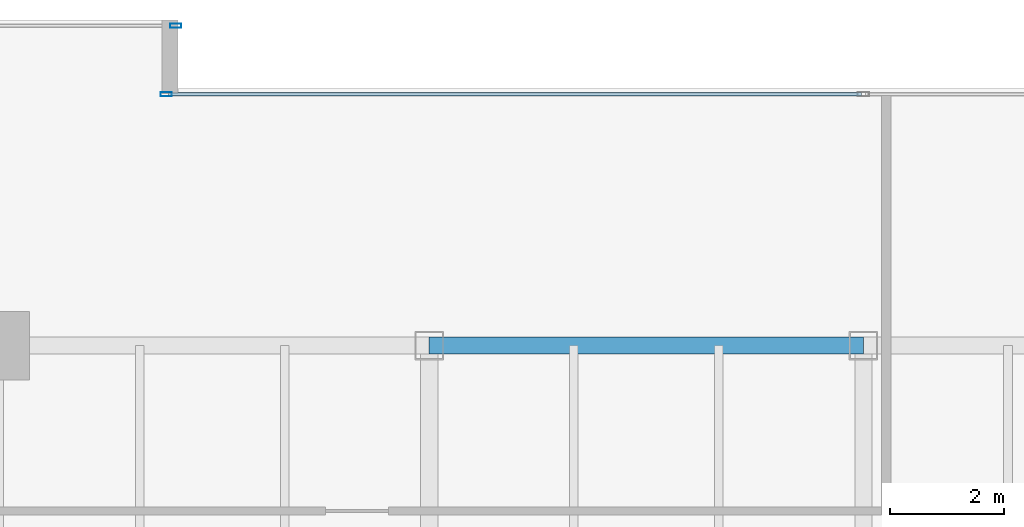
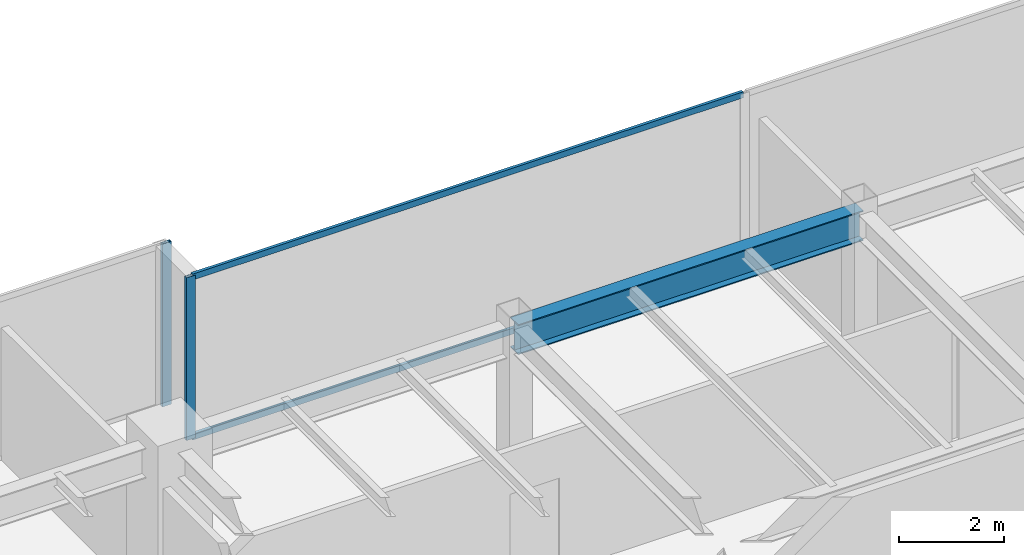
# One storey, part 16 of 30: 4 members, 1 beam, 2 elements without a shape of their own.
"""IFC4 building model written with IfcOpenShell, lengths in metres."""

from ifc_helpers import new_model, si_unit, direction, frame, origin, origin_2d, place, context, subcontext, project, spatial, hollow_rectangle, i_section, extrude, source, transform, mapped, material, layer, layer_set, material_profile, profile_set, type_object, type_shapes, element, aggregate, save


model = new_model("IFC4")

# Units and contexts
model_context = context("Model", 3, precision=1e-05, world=origin(), true_north=direction((0.0, 1.0)))
body_context = subcontext(model_context, "Body", "Model", "MODEL_VIEW")
ifc_project = project(units=[si_unit("LENGTHUNIT", "METRE"), si_unit("AREAUNIT", "SQUARE_METRE"), si_unit("VOLUMEUNIT", "CUBIC_METRE"), si_unit("PLANEANGLEUNIT", "RADIAN"), si_unit("MASSUNIT", "GRAM", prefix="KILO")], contexts=[model_context])

# Site, building, storey
site_placement = place(None, origin())
site = spatial("IfcSite", under=ifc_project, at=site_placement, CompositionType="ELEMENT")
building_placement = place(site_placement, origin())
building = spatial("IfcBuilding", under=site, at=building_placement, Name="Haelvirn Gate Laboratories", CompositionType="ELEMENT")
storey_placement = place(building_placement, frame((0.0, 0.0, 183.0)))
storey = spatial("IfcBuildingStorey", under=building, at=storey_placement, Name="L44", CompositionType="ELEMENT", Elevation=183.0)

# Beam
ifc_material_1 = material(Name="Steel SM355", Category="steel")
ifc_material_profile_1 = material_profile(ifc_material_1, i_section(OverallWidth=0.300048828125, OverallDepth=0.699951171875, WebThickness=0.012939453125, FlangeThickness=0.02392578125, at=origin_2d()), Name="H-700x300x13x24")
ifc_profile_set_1 = profile_set([ifc_material_profile_1], Name="Steel SM355")
beam_type = type_object("IfcBeamType", Name="BM-G-700", PredefinedType="BEAM", material=ifc_profile_set_1)
shared_shape_1 = source(origin(), body_context, "Body", "SweptSolid", [
    extrude(i_section(OverallWidth=0.300048828125, OverallDepth=0.699951171875, WebThickness=0.012939453125, FlangeThickness=0.02392578125, at=origin_2d()), origin(), (0.0, 0.0, 1.0), 7.599853515625),
])
type_shapes(beam_type, [shared_shape_1])
beam_placement = place(storey_placement, frame((29.800048828125, 41.60009765625, 3.43994140625), z_axis=(1.0, 0.0, 0.0), x_axis=(0.0, 1.0, 0.0)))
element("IfcBeam", 1, at=beam_placement, inside=storey, type_object=beam_type, Name="L44 Primary Girder Y41.6 (29.8-37.4)", PredefinedType="BEAM", context=body_context, shape_type="MappedRepresentation", body=[
    mapped(shared_shape_1, transform((0.0, 0.0, 0.0), scale=1.0)),
])

# Curtain wall, members
ifc_material_2 = material(Name="Anodised bronze unitised aluminium & triple low-E glass", Category="aluminium")
ifc_layer = layer(ifc_material_2, 0.179931640625, Name="CW-SYS-3")
ifc_layer_set = layer_set([ifc_layer], Name="Anodised bronze unitised aluminium & triple low-E glass")
curtain_wall_type = type_object("IfcCurtainWallType", Name="CW-SYS-3", PredefinedType="NOTDEFINED", material=ifc_layer_set)
curtain_wall_1_placement = place(storey_placement, origin())
curtain_wall_1 = element("IfcCurtainWall", 2, at=curtain_wall_1_placement, inside=storey, type_object=curtain_wall_type, Name="L44 Unitised Curtain Wall CW-L44-P0-E12-1", PredefinedType="NOTDEFINED")
ifc_material_3 = material(Name="Extruded aluminium 6063-T6 (anodised bronze)", Category="aluminium")
ifc_material_profile_2 = material_profile(ifc_material_3, hollow_rectangle(XDim=0.06494140625, YDim=0.139892578125, WallThickness=0.00390625, at=origin_2d()), Name="CWT-140x65x4")
ifc_profile_set_2 = profile_set([ifc_material_profile_2], Name="Extruded aluminium 6063-T6 (anodised bronze)")
member_type_1 = type_object("IfcMemberType", Name="CWT-T140", PredefinedType="USERDEFINED", material=ifc_profile_set_2)
shared_shape_2 = source(origin(), body_context, "Body", "SweptSolid", [
    extrude(hollow_rectangle(XDim=0.06494140625, YDim=0.139892578125, WallThickness=0.00390625, at=origin_2d()), origin(), (0.0, 0.0, 1.0), 12.12744140625),
])
type_shapes(member_type_1, [shared_shape_2])
member_1_placement = place(storey_placement, frame((25.235107421875, 46.0, 0.032470703125), z_axis=(1.0, 0.0, 0.0), x_axis=(0.0, 1.0, 0.0)))
member_1 = element("IfcMember", 3, at=member_1_placement, type_object=member_type_1, Name="CW3 transom 1.1", ObjectType="TRANSOM", PredefinedType="USERDEFINED", context=body_context, shape_type="MappedRepresentation", body=[
    mapped(shared_shape_2, transform((0.0, 0.0, 0.0), scale=1.0)),
])
member_2_placement = place(storey_placement, frame((25.235107421875, 46.0, 3.757568359375), z_axis=(1.0, 0.0, 0.0), x_axis=(0.0, 1.0, 0.0)))
member_2 = element("IfcMember", 4, at=member_2_placement, type_object=member_type_1, Name="CW3 transom 1.2", ObjectType="TRANSOM", PredefinedType="USERDEFINED", context=body_context, shape_type="MappedRepresentation", body=[
    mapped(shared_shape_2, transform((0.0, 0.0, 0.0), scale=1.0)),
])
ifc_material_profile_3 = material_profile(ifc_material_3, hollow_rectangle(XDim=0.074951171875, YDim=0.199951171875, WallThickness=0.0048828125, at=origin_2d()), Name="CWM-200x75x5")
ifc_profile_set_3 = profile_set([ifc_material_profile_3], Name="Extruded aluminium 6063-T6 (anodised bronze)")
member_type_2 = type_object("IfcMemberType", Name="CWM-T200", PredefinedType="MULLION", material=ifc_profile_set_3)
shared_shape_3 = source(origin(), body_context, "Body", "SweptSolid", [
    extrude(hollow_rectangle(XDim=0.074951171875, YDim=0.199951171875, WallThickness=0.0048828125, at=origin_2d()), origin(), (0.0, 0.0, 1.0), 3.7900390625),
])
type_shapes(member_type_2, [shared_shape_3])
member_3_placement = place(storey_placement, frame((25.197509765625, 46.0, 0.0), z_axis=(0.0, 0.0, 1.0), x_axis=(0.0, 1.0, 0.0)))
member_3 = element("IfcMember", 5, at=member_3_placement, type_object=member_type_2, Name="CW3 mullion 1", PredefinedType="MULLION", context=body_context, shape_type="MappedRepresentation", body=[
    mapped(shared_shape_3, transform((0.0, 0.0, 0.0), scale=1.0)),
])
aggregate(curtain_wall_1, [member_3, member_1, member_2])

# Curtain wall, member
curtain_wall_2_placement = place(storey_placement, origin())
curtain_wall_2 = element("IfcCurtainWall", 6, at=curtain_wall_2_placement, inside=storey, type_object=curtain_wall_type, Name="L44 Unitised Curtain Wall CW-L44-P0-E14-1", PredefinedType="NOTDEFINED")
member_4_placement = place(storey_placement, frame((25.362548828125, 47.199951171875, 0.0), z_axis=(0.0, 0.0, 1.0), x_axis=(0.0, 1.0, 0.0)))
member_4 = element("IfcMember", 7, at=member_4_placement, type_object=member_type_2, Name="CW3 mullion 3", PredefinedType="MULLION", context=body_context, shape_type="MappedRepresentation", body=[
    mapped(shared_shape_3, transform((0.0, 0.0, 0.0), scale=1.0)),
])
aggregate(curtain_wall_2, [member_4])

save(model, "model.ifc")
